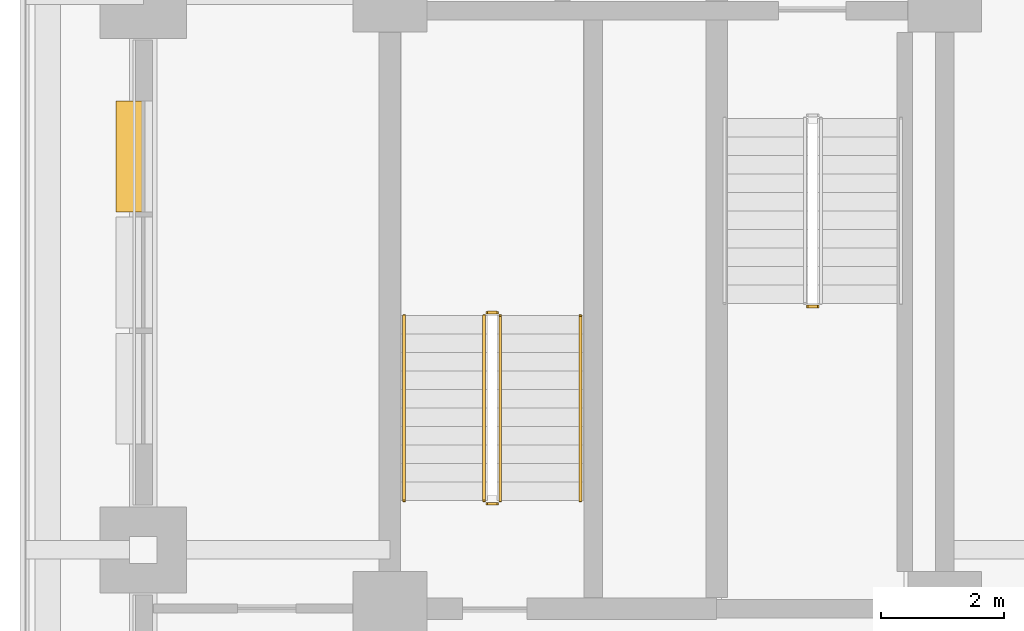
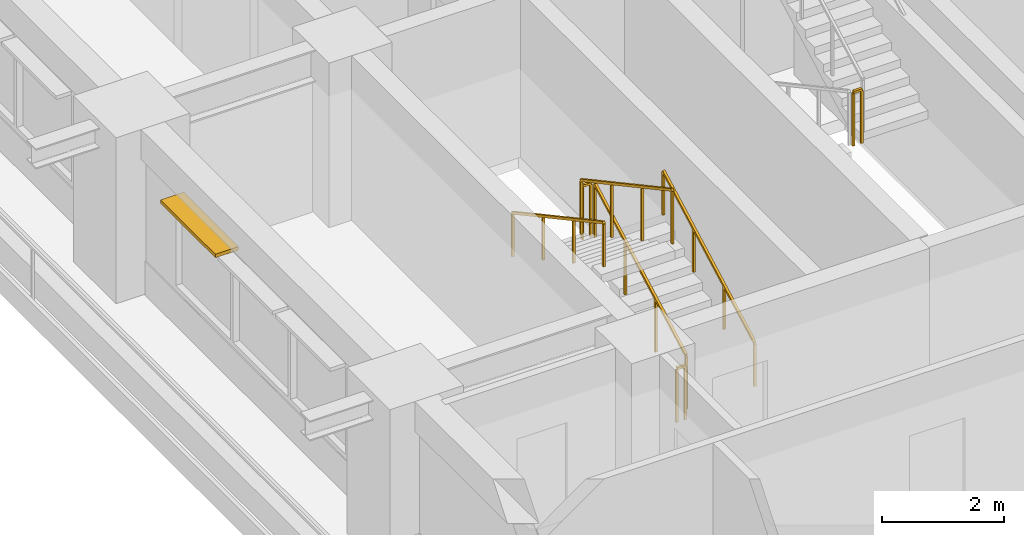
# One storey, part 9 of 14: 7 railings, 1 shading device.
"""IFC4 building model written with IfcOpenShell, lengths in metres."""

from ifc_helpers import new_model, si_unit, direction, frame, frame_2d, origin, origin_2d, place, context, subcontext, project, spatial, rectangle, extrude, material, layer, layer_set, type_object, element, save


model = new_model("IFC4")

# Units and contexts
model_context = context("Model", 3, precision=1e-05, world=origin(), true_north=direction((0.0, 1.0)))
body_context = subcontext(model_context, "Body", "Model", "MODEL_VIEW")
ifc_project = project(units=[si_unit("LENGTHUNIT", "METRE"), si_unit("AREAUNIT", "SQUARE_METRE"), si_unit("VOLUMEUNIT", "CUBIC_METRE"), si_unit("PLANEANGLEUNIT", "RADIAN"), si_unit("MASSUNIT", "GRAM", prefix="KILO")], contexts=[model_context])

# Site, building, storey
site_placement = place(None, origin())
site = spatial("IfcSite", under=ifc_project, at=site_placement, CompositionType="ELEMENT")
building_placement = place(site_placement, origin())
building = spatial("IfcBuilding", under=site, at=building_placement, Name="Zulmaris Gate Convention Tower", CompositionType="ELEMENT")
storey_placement = place(building_placement, frame((0.0, 0.0, 41.47998046875)))
storey = spatial("IfcBuildingStorey", under=building, at=storey_placement, Name="L09", CompositionType="ELEMENT", Elevation=41.47998046875)

# Railings
ifc_material_1 = material(Name="Painted Galvanised Steel", Category="steel")
railing_type_1 = type_object("IfcRailingType", Name="RL-STG-1150", PredefinedType="GUARDRAIL", material=ifc_material_1)
railing_1_placement = place(storey_placement, frame((-13.219970703125, -5.050048828125, 1.784912109375)))
element("IfcRailing", 1, at=railing_1_placement, inside=storey, type_object=railing_type_1, Name="L09 ST-1 stair guard 2", PredefinedType="GUARDRAIL", context=body_context, shape_type="SweptSolid", body=[
    extrude(rectangle(XDim=0.048095703125, YDim=0.048095703125, at=origin_2d()), frame((0.0, 0.0, 1.076171875), z_axis=(1.0, 0.0, 0.0), x_axis=(0.0, 1.0, 0.0)), (0.0, 0.0, 1.0), 0.159912109375),
    extrude(rectangle(XDim=0.0419921875, YDim=0.0419921875, at=origin_2d()), origin(), (0.0, 0.0, 1.0), 1.052001953125),
    extrude(rectangle(XDim=0.0419921875, YDim=0.0419921875, at=origin_2d()), frame((0.159912109375, 0.0, 0.0)), (0.0, 0.0, 1.0), 1.052001953125),
])
railing_2_placement = place(storey_placement, frame((-18.2099609375, -8.199951171875, 0.162353515625)))
element("IfcRailing", 2, at=railing_2_placement, inside=storey, type_object=railing_type_1, Name="L09 ST-3 stair guard 1", PredefinedType="GUARDRAIL", context=body_context, shape_type="SweptSolid", body=[
    extrude(rectangle(XDim=0.048095703125, YDim=0.048095703125, at=origin_2d()), frame((0.0, 0.0, 1.076171875), z_axis=(0.0, 0.879591569277, 0.475729619907), x_axis=(-1.0, 0.0, 0.0)), (0.0, 0.0, 1.0), 3.41064453125),
    extrude(rectangle(XDim=0.0419921875, YDim=0.0419921875, at=origin_2d()), origin(), (0.0, 0.0, 1.0), 1.052001953125),
    extrude(rectangle(XDim=0.0419921875, YDim=0.0419921875, at=origin_2d()), frame((0.0, 1.0, 0.540771484375)), (0.0, 0.0, 1.0), 1.052001953125),
    extrude(rectangle(XDim=0.0419921875, YDim=0.0419921875, at=origin_2d()), frame((0.0, 2.0, 1.081787109375)), (0.0, 0.0, 1.0), 1.052001953125),
    extrude(rectangle(XDim=0.0419921875, YDim=0.0419921875, at=origin_2d()), frame((0.0, 3.0, 1.62255859375)), (0.0, 0.0, 1.0), 1.052001953125),
])
railing_3_placement = place(storey_placement, frame((-18.260009765625, -5.14990234375, 1.784912109375)))
element("IfcRailing", 3, at=railing_3_placement, inside=storey, type_object=railing_type_1, Name="L09 ST-3 stair guard 2", PredefinedType="GUARDRAIL", context=body_context, shape_type="SweptSolid", body=[
    extrude(rectangle(XDim=0.048095703125, YDim=0.048095703125, at=origin_2d()), frame((0.0, 0.0, 1.076171875), z_axis=(-1.0, 0.0, 0.0), x_axis=(0.0, -1.0, 0.0)), (0.0, 0.0, 1.0), 0.159912109375),
    extrude(rectangle(XDim=0.0419921875, YDim=0.0419921875, at=origin_2d()), origin(), (0.0, 0.0, 1.0), 1.052001953125),
    extrude(rectangle(XDim=0.0419921875, YDim=0.0419921875, at=origin_2d()), frame((-0.159912109375, 0.0, 0.0)), (0.0, 0.0, 1.0), 1.052001953125),
])
railing_4_placement = place(storey_placement, frame((-18.469970703125, -5.199951171875, 1.947265625)))
element("IfcRailing", 4, at=railing_4_placement, inside=storey, type_object=railing_type_1, Name="L09 ST-3 stair guard 3", PredefinedType="GUARDRAIL", context=body_context, shape_type="SweptSolid", body=[
    extrude(rectangle(XDim=0.048095703125, YDim=0.048095703125, at=origin_2d()), frame((0.0, 0.0, 1.076171875), z_axis=(0.0, -0.8795616155, 0.475784998228), x_axis=(1.0, 0.0, 0.0)), (0.0, 0.0, 1.0), 3.410888671875),
    extrude(rectangle(XDim=0.0419921875, YDim=0.0419921875, at=origin_2d()), origin(), (0.0, 0.0, 1.0), 1.052001953125),
    extrude(rectangle(XDim=0.0419921875, YDim=0.0419921875, at=origin_2d()), frame((0.0, -1.0, 0.541015625)), (0.0, 0.0, 1.0), 1.052001953125),
    extrude(rectangle(XDim=0.0419921875, YDim=0.0419921875, at=origin_2d()), frame((0.0, -2.0, 1.081787109375)), (0.0, 0.0, 1.0), 1.052001953125),
    extrude(rectangle(XDim=0.0419921875, YDim=0.0419921875, at=origin_2d()), frame((0.0, -3.0, 1.622802734375)), (0.0, 0.0, 1.0), 1.052001953125),
])
railing_5_placement = place(storey_placement, frame((-18.260009765625, -8.25, 0.0)))
element("IfcRailing", 5, at=railing_5_placement, inside=storey, type_object=railing_type_1, Name="L09 ST-3 stair guard 4", PredefinedType="GUARDRAIL", context=body_context, shape_type="SweptSolid", body=[
    extrude(rectangle(XDim=0.048095703125, YDim=0.048095703125, at=origin_2d()), frame((0.0, 0.0, 1.076171875), z_axis=(-1.0, 0.0, 0.0), x_axis=(0.0, -1.0, 0.0)), (0.0, 0.0, 1.0), 0.159912109375),
    extrude(rectangle(XDim=0.0419921875, YDim=0.0419921875, at=origin_2d()), origin(), (0.0, 0.0, 1.0), 1.052001953125),
    extrude(rectangle(XDim=0.0419921875, YDim=0.0419921875, at=origin_2d()), frame((-0.159912109375, 0.0, 0.0)), (0.0, 0.0, 1.0), 1.052001953125),
])
ifc_material_2 = material(Name="Brushed Stainless Steel", Category="steel")
railing_type_2 = type_object("IfcRailingType", Name="RL-STH-900", PredefinedType="HANDRAIL", material=ifc_material_2)
railing_6_placement = place(storey_placement, frame((-16.909912109375, -8.199951171875, 0.162353515625)))
element("IfcRailing", 6, at=railing_6_placement, inside=storey, type_object=railing_type_2, Name="L09 ST-3 stair handrail 1", PredefinedType="HANDRAIL", context=body_context, shape_type="SweptSolid", body=[
    extrude(rectangle(XDim=0.048095703125, YDim=0.048095703125, at=origin_2d()), frame((0.0, 0.0, 0.8759765625), z_axis=(0.0, 0.879591569277, 0.475729619907), x_axis=(-1.0, 0.0, 0.0)), (0.0, 0.0, 1.0), 3.41064453125),
    extrude(rectangle(XDim=0.0419921875, YDim=0.0419921875, at=origin_2d()), origin(), (0.0, 0.0, 1.0), 0.851806640625),
    extrude(rectangle(XDim=0.0419921875, YDim=0.0419921875, at=origin_2d()), frame((0.0, 1.0, 0.540771484375)), (0.0, 0.0, 1.0), 0.851806640625),
    extrude(rectangle(XDim=0.0419921875, YDim=0.0419921875, at=origin_2d()), frame((0.0, 2.0, 1.081787109375)), (0.0, 0.0, 1.0), 0.851806640625),
    extrude(rectangle(XDim=0.0419921875, YDim=0.0419921875, at=origin_2d()), frame((0.0, 3.0, 1.62255859375)), (0.0, 0.0, 1.0), 0.851806640625),
])
railing_7_placement = place(storey_placement, frame((-19.77001953125, -5.199951171875, 1.947265625)))
element("IfcRailing", 7, at=railing_7_placement, inside=storey, type_object=railing_type_2, Name="L09 ST-3 stair handrail 2", PredefinedType="HANDRAIL", context=body_context, shape_type="SweptSolid", body=[
    extrude(rectangle(XDim=0.048095703125, YDim=0.048095703125, at=origin_2d()), frame((0.0, 0.0, 0.8759765625), z_axis=(0.0, -0.8795616155, 0.475784998228), x_axis=(1.0, 0.0, 0.0)), (0.0, 0.0, 1.0), 3.410888671875),
    extrude(rectangle(XDim=0.0419921875, YDim=0.0419921875, at=origin_2d()), origin(), (0.0, 0.0, 1.0), 0.851806640625),
    extrude(rectangle(XDim=0.0419921875, YDim=0.0419921875, at=origin_2d()), frame((0.0, -1.0, 0.541015625)), (0.0, 0.0, 1.0), 0.851806640625),
    extrude(rectangle(XDim=0.0419921875, YDim=0.0419921875, at=origin_2d()), frame((0.0, -2.0, 1.081787109375)), (0.0, 0.0, 1.0), 0.851806640625),
    extrude(rectangle(XDim=0.0419921875, YDim=0.0419921875, at=origin_2d()), frame((0.0, -3.0, 1.622802734375)), (0.0, 0.0, 1.0), 0.851806640625),
])

# Shading device
ifc_material_3 = material(Name="Glazed Ceramic Terracotta", Category="masonry")
ifc_layer = layer(ifc_material_3, 0.070068359375, Name="Glazed Ceramic Terracotta")
ifc_layer_set = layer_set([ifc_layer], Name="Glazed Ceramic Terracotta")
shading_device_type = type_object("IfcShadingDeviceType", Name="SHD-SUNSHADE-TC", PredefinedType="AWNING", material=ifc_layer_set)
shading_device_placement = place(storey_placement, frame((-24.219970703125, -1.715087890625, 2.530029296875), z_axis=(0.0, 0.0, 1.0), x_axis=(0.0, -1.0, 0.0)))
element("IfcShadingDevice", 8, at=shading_device_placement, inside=storey, type_object=shading_device_type, Name="SHD-EW-L09-W-1_0-1", PredefinedType="AWNING", context=body_context, shape_type="SweptSolid", body=[
    extrude(rectangle(XDim=1.7998046875, YDim=0.43994140625, at=frame_2d((0.89990234375, 0.0))), origin(), (0.0, 0.0, 1.0), 0.070068359375),
])

save(model, "model.ifc")
